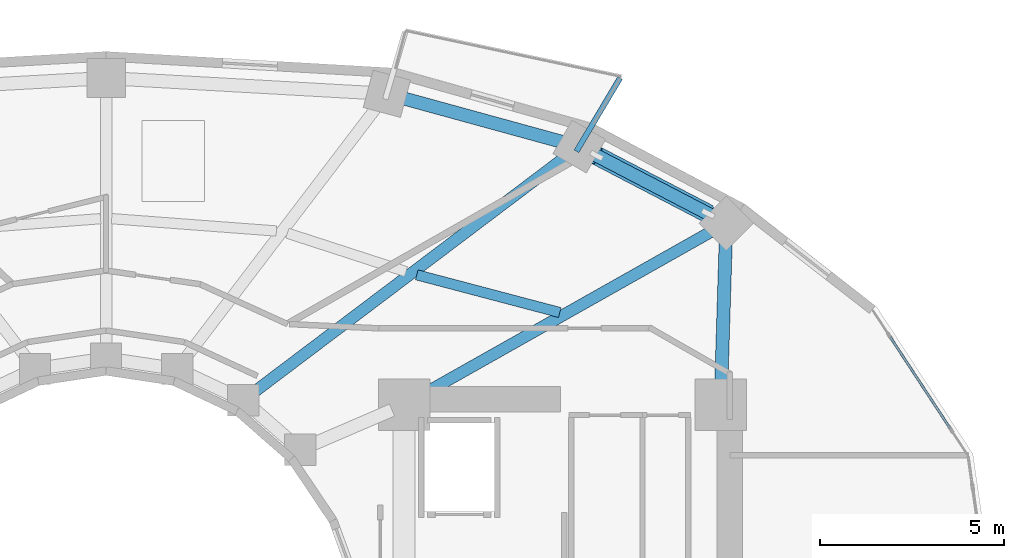
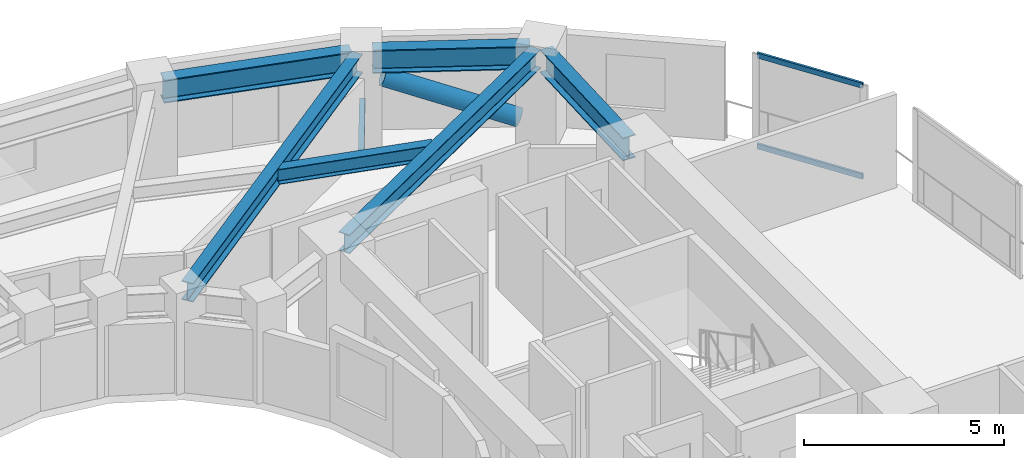
# One storey, part 4 of 14: 7 beams, 3 members, 1 element without a shape of its own.
"""IFC4 building model written with IfcOpenShell, lengths in metres."""

from ifc_helpers import new_model, si_unit, direction, frame, origin, origin_2d, place, context, subcontext, project, spatial, hollow_rectangle, hollow_circle, i_section, extrude, material, layer, layer_set, material_profile, profile_set, type_object, element, aggregate, save


model = new_model("IFC4")

# Units and contexts
model_context = context("Model", 3, precision=1e-05, world=origin(), true_north=direction((0.0, 1.0)))
body_context = subcontext(model_context, "Body", "Model", "MODEL_VIEW")
ifc_project = project(units=[si_unit("LENGTHUNIT", "METRE"), si_unit("AREAUNIT", "SQUARE_METRE"), si_unit("VOLUMEUNIT", "CUBIC_METRE"), si_unit("PLANEANGLEUNIT", "RADIAN"), si_unit("MASSUNIT", "GRAM", prefix="KILO")], contexts=[model_context])

# Site, building, storey
site_placement = place(None, origin())
site = spatial("IfcSite", under=ifc_project, at=site_placement, CompositionType="ELEMENT")
building_placement = place(site_placement, origin())
building = spatial("IfcBuilding", under=site, at=building_placement, Name="Solvane Sanctuary Tower", CompositionType="ELEMENT")
storey_placement = place(building_placement, frame((0.0, 0.0, 88.699951171875)))
storey = spatial("IfcBuildingStorey", under=building, at=storey_placement, Name="L26", CompositionType="ELEMENT", Elevation=88.699951171875)

# Beams
ifc_material_1 = material(Name="Steel ASTM A500 Grade C", Category="steel")
ifc_material_profile_1 = material_profile(ifc_material_1, hollow_rectangle(XDim=0.14990234375, YDim=0.300048828125, WallThickness=0.010009765625, at=origin_2d()), Name="HSS300X150X10")
ifc_profile_set_1 = profile_set([ifc_material_profile_1], Name="Steel ASTM A500 Grade C")
beam_type_1 = type_object("IfcBeamType", Name="Beam B-BALC-BRK HSS300X150X10", PredefinedType="BEAM", material=ifc_profile_set_1)
beam_1_placement = place(storey_placement, frame((44.781494140625, 37.088623046875, -0.3720703125), z_axis=(0.511310271228, 0.859396187179, 0.0), x_axis=(-0.859396187179, 0.511310271228, 0.0)))
element("IfcBeam", 1, at=beam_1_placement, inside=storey, type_object=beam_type_1, Name="L26 Balcony Bracket N1-1", PredefinedType="BEAM", context=body_context, shape_type="SweptSolid", body=[
    extrude(hollow_rectangle(XDim=0.14990234375, YDim=0.300048828125, WallThickness=0.010009765625, at=origin_2d()), origin(), (0.0, 0.0, 1.0), 2.324462890625),
])
ifc_material_2 = material(Name="Steel ASTM A992 Grade 50", Category="steel")
ifc_material_profile_2 = material_profile(ifc_material_2, i_section(OverallWidth=0.31494140625, OverallDepth=0.575927734375, WebThickness=0.01513671875, FlangeThickness=0.0244140625, FilletRadius=0.014892578125, at=origin_2d()), Name="W21X122")
ifc_profile_set_2 = profile_set([ifc_material_profile_2], Name="Steel ASTM A992 Grade 50")
beam_type_2 = type_object("IfcBeamType", Name="Beam B-RAD-Z2 W21X122", PredefinedType="BEAM", material=ifc_profile_set_2)
beam_2_placement = place(storey_placement, frame((40.41357421875, 30.376953125, 2.590087890625), z_axis=(0.870960247151, 0.491353485673, 0.0), x_axis=(-0.491353485673, 0.870960247151, 0.0)))
element("IfcBeam", 2, at=beam_2_placement, inside=storey, type_object=beam_type_2, Name="L26 Radial Composite Floor Beam 01", PredefinedType="BEAM", context=body_context, shape_type="SweptSolid", body=[
    extrude(i_section(OverallWidth=0.31494140625, OverallDepth=0.575927734375, WebThickness=0.01513671875, FlangeThickness=0.0244140625, FilletRadius=0.014892578125, at=origin_2d()), origin(), (0.0, 0.0, 1.0), 9.409912109375),
])
beam_3_placement = place(storey_placement, frame((35.95361328125, 30.495361328125, 2.590087890625), z_axis=(0.798116040134, 0.602503764703, 0.0), x_axis=(-0.602503764703, 0.798116040134, 0.0)))
element("IfcBeam", 3, at=beam_3_placement, inside=storey, type_object=beam_type_2, Name="L26 Radial Composite Floor Beam 02", PredefinedType="BEAM", context=body_context, shape_type="SweptSolid", body=[
    extrude(i_section(OverallWidth=0.31494140625, OverallDepth=0.575927734375, WebThickness=0.01513671875, FlangeThickness=0.0244140625, FilletRadius=0.014892578125, at=origin_2d()), origin(), (0.0, 0.0, 1.0), 10.876953125),
])
ifc_material_profile_3 = material_profile(ifc_material_2, i_section(OverallWidth=0.280029296875, OverallDepth=0.462890625, WebThickness=0.0107421875, FlangeThickness=0.017333984375, FilletRadius=0.013916015625, at=origin_2d()), Name="W18X76")
ifc_profile_set_3 = profile_set([ifc_material_profile_3], Name="Steel ASTM A992 Grade 50")
beam_type_3 = type_object("IfcBeamType", Name="Beam B-SEC-JOIST W18X76", PredefinedType="JOIST", material=ifc_profile_set_3)
beam_4_placement = place(storey_placement, frame((40.441650390625, 33.733154296875, 2.646484375), z_axis=(0.966943832831, -0.2549894589, 0.0), x_axis=(0.2549894589, 0.966943832831, 0.0)))
element("IfcBeam", 4, at=beam_4_placement, inside=storey, type_object=beam_type_3, Name="L26 Secondary Circumferential Joist 02-01", PredefinedType="JOIST", context=body_context, shape_type="SweptSolid", body=[
    extrude(i_section(OverallWidth=0.280029296875, OverallDepth=0.462890625, WebThickness=0.0107421875, FlangeThickness=0.017333984375, FilletRadius=0.013916015625, at=origin_2d()), origin(), (0.0, 0.0, 1.0), 4.020263671875),
])
ifc_material_profile_4 = material_profile(ifc_material_2, i_section(OverallWidth=0.35791015625, OverallDepth=0.7060546875, WebThickness=0.018310546875, FlangeThickness=0.0302734375, FilletRadius=0.01806640625, at=origin_2d()), Name="W27X178")
ifc_profile_set_4 = profile_set([ifc_material_profile_4], Name="Steel ASTM A992 Grade 50")
beam_type_4 = type_object("IfcBeamType", Name="Beam B-SPAND-Z2 W27X178", PredefinedType="SPANDREL", material=ifc_profile_set_4)
beam_5_placement = place(storey_placement, frame((39.8994140625, 38.577880859375, 2.525146484375), z_axis=(0.964367605241, -0.26456591232, 0.0), x_axis=(0.26456591232, 0.964367605241, 0.0)))
element("IfcBeam", 5, at=beam_5_placement, inside=storey, type_object=beam_type_4, Name="L26 Perimeter Spandrel Beam TC03-TC02", PredefinedType="SPANDREL", context=body_context, shape_type="SweptSolid", body=[
    extrude(i_section(OverallWidth=0.35791015625, OverallDepth=0.7060546875, WebThickness=0.018310546875, FlangeThickness=0.0302734375, FilletRadius=0.01806640625, at=origin_2d()), origin(), (0.0, 0.0, 1.0), 4.8623046875),
])
beam_6_placement = place(storey_placement, frame((45.106689453125, 37.088134765625, 2.525146484375), z_axis=(0.887014995188, -0.461740618002, 0.0), x_axis=(0.461740618002, 0.887014995188, 0.0)))
element("IfcBeam", 6, at=beam_6_placement, inside=storey, type_object=beam_type_4, Name="L26 Perimeter Spandrel Beam TC02-TC01", PredefinedType="SPANDREL", context=body_context, shape_type="SweptSolid", body=[
    extrude(i_section(OverallWidth=0.35791015625, OverallDepth=0.7060546875, WebThickness=0.018310546875, FlangeThickness=0.0302734375, FilletRadius=0.01806640625, at=origin_2d()), origin(), (0.0, 0.0, 1.0), 3.943359375),
])
beam_7_placement = place(storey_placement, frame((48.84423828125, 34.858154296875, 2.525146484375), z_axis=(-0.03093371985, -0.999521437977, 0.0), x_axis=(0.999521437977, -0.03093371985, 0.0)))
element("IfcBeam", 7, at=beam_7_placement, inside=storey, type_object=beam_type_4, Name="L26 Perimeter Spandrel Beam TC01-CE3", PredefinedType="SPANDREL", context=body_context, shape_type="SweptSolid", body=[
    extrude(i_section(OverallWidth=0.35791015625, OverallDepth=0.7060546875, WebThickness=0.018310546875, FlangeThickness=0.0302734375, FilletRadius=0.01806640625, at=origin_2d()), origin(), (0.0, 0.0, 1.0), 4.38037109375),
])

# Curtain wall, members
ifc_material_3 = material(Name="Anodised Aluminium 6063-T6", Category="aluminium")
ifc_layer = layer(ifc_material_3, 0.2099609375, Name="Anodised Aluminium 6063-T6")
ifc_layer_set = layer_set([ifc_layer], Name="Anodised Aluminium 6063-T6")
curtain_wall_type = type_object("IfcCurtainWallType", Name="Curtain Wall CW-PORTAL", PredefinedType="NOTDEFINED", material=ifc_layer_set)
curtain_wall_placement = place(storey_placement, origin())
curtain_wall = element("IfcCurtainWall", 8, at=curtain_wall_placement, inside=storey, type_object=curtain_wall_type, Name="L26 CW-PORTAL Facade Run 01", PredefinedType="NOTDEFINED")
ifc_material_profile_5 = material_profile(ifc_material_3, hollow_rectangle(XDim=0.06494140625, YDim=0.159912109375, WallThickness=0.00341796875, at=origin_2d()), Name="ALU160X65X3.5")
ifc_profile_set_5 = profile_set([ifc_material_profile_5], Name="Anodised Aluminium 6063-T6")
member_type_1 = type_object("IfcMemberType", Name="Member M-CW-TRN-1 ALU160X65X3.5", PredefinedType="USERDEFINED", material=ifc_profile_set_5)
member_1_placement = place(storey_placement, frame((54.93115234375, 29.567138671875, 0.032470703125), z_axis=(-0.548295383015, 0.836284743951, 0.0), x_axis=(-0.836284743951, -0.548295383015, 0.0)))
member_1 = element("IfcMember", 9, at=member_1_placement, type_object=member_type_1, Name="CW-PORTAL transom 1.1", ObjectType="TRANSOM", PredefinedType="USERDEFINED", context=body_context, shape_type="SweptSolid", body=[
    extrude(hollow_rectangle(XDim=0.06494140625, YDim=0.159912109375, WallThickness=0.00341796875, at=origin_2d()), origin(), (0.0, 0.0, 1.0), 2.954345703125),
])
member_2_placement = place(storey_placement, frame((54.93115234375, 29.567138671875, 2.8076171875), z_axis=(-0.548295383015, 0.836284743951, 0.0), x_axis=(-0.836284743951, -0.548295383015, 0.0)))
member_2 = element("IfcMember", 10, at=member_2_placement, type_object=member_type_1, Name="CW-PORTAL transom 1.2", ObjectType="TRANSOM", PredefinedType="USERDEFINED", context=body_context, shape_type="SweptSolid", body=[
    extrude(hollow_rectangle(XDim=0.06494140625, YDim=0.159912109375, WallThickness=0.00341796875, at=origin_2d()), origin(), (0.0, 0.0, 1.0), 2.954345703125),
])
aggregate(curtain_wall, [member_1, member_2])

# Member
ifc_material_profile_6 = material_profile(ifc_material_2, hollow_circle(Radius=0.25390625, WallThickness=0.01611328125, at=origin_2d()), Name="CHS508X16")
ifc_profile_set_6 = profile_set([ifc_material_profile_6], Name="Steel ASTM A992 Grade 50")
member_type_2 = type_object("IfcMemberType", Name="Member M-TUBE-Z2 CHS508X16", PredefinedType="BRACE", material=ifc_profile_set_6)
member_3_placement = place(storey_placement, frame((48.3564453125, 35.396484375, 0.602783203125), z_axis=(-0.824140553465, 0.429072126665, 0.369715374651), x_axis=(-0.461792399626, -0.886988038052, 0.0)))
element("IfcMember", 11, at=member_3_placement, inside=storey, type_object=member_type_2, Name="L26 Perimeter Braced-Tube Diagonal NE", PredefinedType="BRACE", context=body_context, shape_type="SweptSolid", body=[
    extrude(hollow_circle(Radius=0.25390625, WallThickness=0.01611328125, at=origin_2d()), origin(), (0.0, 0.0, 1.0), 3.6689453125),
])

save(model, "model.ifc")
